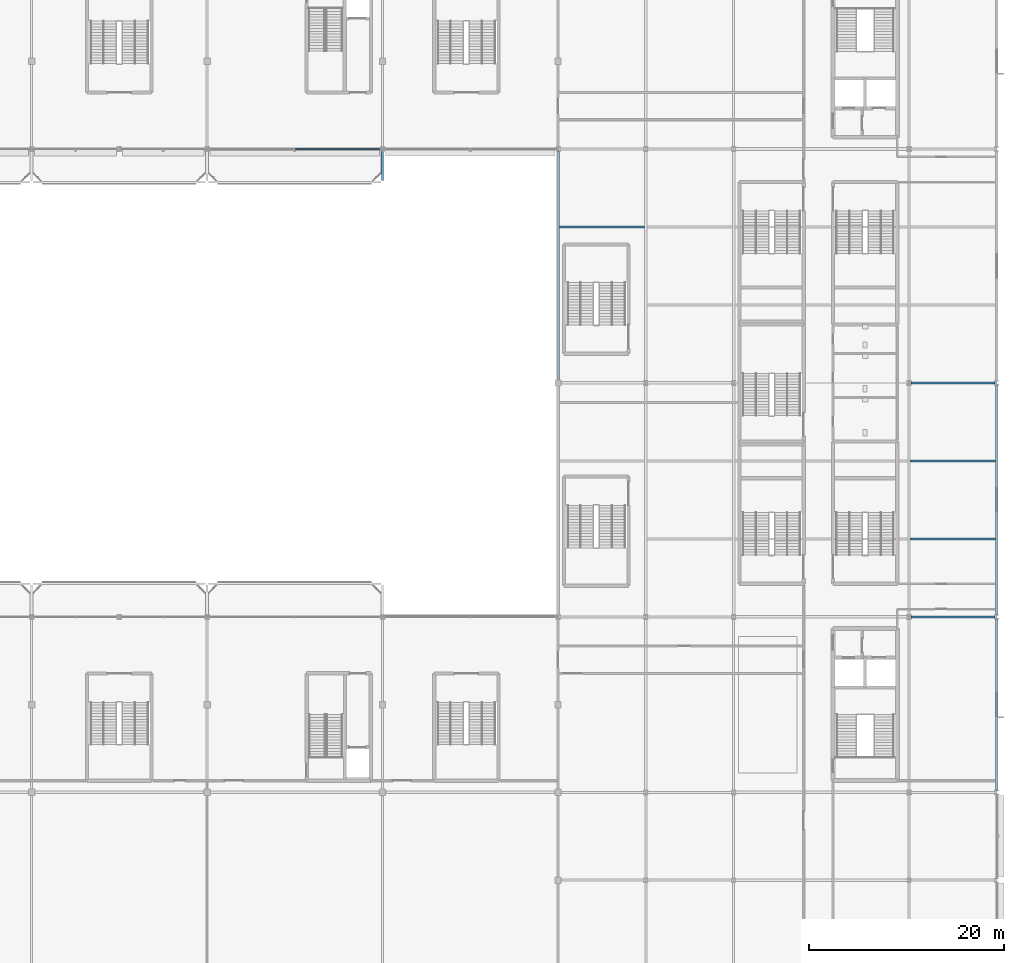
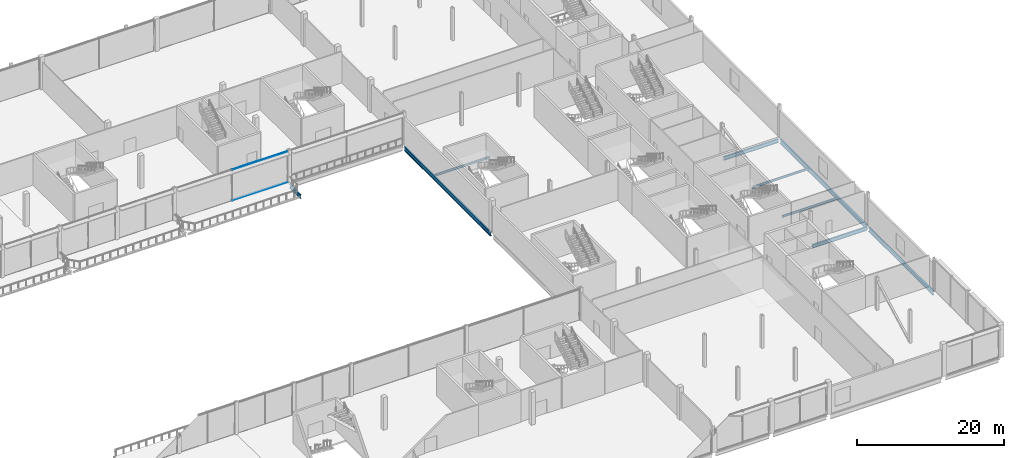
# One storey, part 53 of 113: 9 beams, 2 members, 1 element without a shape of its own.
"""IFC4 building model written with IfcOpenShell, lengths in metres."""

from ifc_helpers import new_model, si_unit, direction, frame, origin, origin_2d, place, context, subcontext, project, spatial, rectangle, i_section, extrude, material, layer, layer_set, material_profile, profile_set, type_object, element, aggregate, save


model = new_model("IFC4")

# Units and contexts
model_context = context("Model", 3, precision=1e-05, world=origin(), true_north=direction((0.0, 1.0)))
body_context = subcontext(model_context, "Body", "Model", "MODEL_VIEW")
ifc_project = project(units=[si_unit("LENGTHUNIT", "METRE"), si_unit("AREAUNIT", "SQUARE_METRE"), si_unit("VOLUMEUNIT", "CUBIC_METRE"), si_unit("PLANEANGLEUNIT", "RADIAN"), si_unit("MASSUNIT", "GRAM", prefix="KILO")], contexts=[model_context])

# Site, building, storey
site_placement = place(None, origin())
site = spatial("IfcSite", under=ifc_project, at=site_placement, CompositionType="ELEMENT")
building_placement = place(site_placement, origin())
building = spatial("IfcBuilding", under=site, at=building_placement, Name="Kisiwana Market Hall", CompositionType="ELEMENT")
storey_placement = place(building_placement, frame((0.0, 0.0, 6.0)))
storey = spatial("IfcBuildingStorey", under=building, at=storey_placement, Name="L01", CompositionType="ELEMENT", Elevation=6.0)

# Beams
ifc_material_1 = material(Name="Steel S355", Category="steel")
ifc_material_profile_1 = material_profile(ifc_material_1, i_section(OverallWidth=0.2275390625, OverallDepth=0.6025390625, WebThickness=0.010498046875, FlangeThickness=0.014892578125, at=origin_2d()), Name="UB 610x229x101")
ifc_profile_set_1 = profile_set([ifc_material_profile_1], Name="Steel S355")
beam_type_1 = type_object("IfcBeamType", Name="BM-CANT-PROW", PredefinedType="BEAM", material=ifc_profile_set_1)
beam_1_placement = place(storey_placement, frame((135.0, 83.78662109375, -0.501220703125), z_axis=(0.0, -1.0, 0.0), x_axis=(1.0, 0.0, 0.0)))
element("IfcBeam", 1, at=beam_1_placement, inside=storey, type_object=beam_type_1, Name="Gallery prow girder B-0594", PredefinedType="BEAM", context=body_context, shape_type="SweptSolid", body=[
    extrude(i_section(OverallWidth=0.2275390625, OverallDepth=0.6025390625, WebThickness=0.010498046875, FlangeThickness=0.014892578125, at=origin_2d()), origin(), (0.0, 0.0, 1.0), 3.03662109375),
])
ifc_material_2 = material(Name="Steel S355", Category="steel")
ifc_material_profile_2 = material_profile(ifc_material_2, i_section(OverallWidth=0.22900390625, OverallDepth=0.6123046875, WebThickness=0.011962890625, FlangeThickness=0.01953125, at=origin_2d()), Name="UB 610x229x125")
ifc_profile_set_2 = profile_set([ifc_material_profile_2], Name="Steel S355")
beam_type_2 = type_object("IfcBeamType", Name="BM-GIRD-UB610H", PredefinedType="BEAM", material=ifc_profile_set_2)
for number, where, z_axis, x_axis, name in (
    (2, (189.201904296875, 36.0, -0.55615234375), (1.0, 0.0, 0.0), (0.0, 1.0, 0.0), "Floor beam B-0500"),
    (3, (189.201904296875, 60.0, -0.55615234375), (1.0, 0.0, 0.0), (0.0, 1.0, 0.0), "Primary girder B-0330"),
):
    element("IfcBeam", number, at=place(storey_placement, frame(where, z_axis=z_axis, x_axis=x_axis)), inside=storey, type_object=beam_type_2, Name=name, PredefinedType="BEAM", context=body_context, shape_type="SweptSolid", body=[
        extrude(i_section(OverallWidth=0.22900390625, OverallDepth=0.6123046875, WebThickness=0.011962890625, FlangeThickness=0.01953125, at=origin_2d()), origin(), (0.0, 0.0, 1.0), 8.59619140625),
    ])
ifc_material_3 = material(Name="Steel S355", Category="steel")
ifc_material_profile_3 = material_profile(ifc_material_3, i_section(OverallWidth=0.253662109375, OverallDepth=0.68359375, WebThickness=0.012451171875, FlangeThickness=0.01904296875, at=origin_2d()), Name="UB 686x254x140")
ifc_profile_set_3 = profile_set([ifc_material_profile_3], Name="Steel S355")
beam_type_3 = type_object("IfcBeamType", Name="BM-GIRD-UB686", PredefinedType="BEAM", material=ifc_profile_set_3)
beam_2_placement = place(storey_placement, frame((153.0, 60.345947265625, -0.591796875), z_axis=(0.0, 1.0, 0.0), x_axis=(-1.0, 0.0, 0.0)))
element("IfcBeam", 4, at=beam_2_placement, inside=storey, type_object=beam_type_3, Name="Floor beam B-0568", PredefinedType="BEAM", context=body_context, shape_type="SweptSolid", body=[
    extrude(i_section(OverallWidth=0.253662109375, OverallDepth=0.68359375, WebThickness=0.012451171875, FlangeThickness=0.01904296875, at=origin_2d()), origin(), (0.0, 0.0, 1.0), 23.440673828125),
])
beam_3_placement = place(storey_placement, frame((198.0, 18.21337890625, -0.591796875), z_axis=(0.0, 1.0, 0.0), x_axis=(-1.0, 0.0, 0.0)))
element("IfcBeam", 5, at=beam_3_placement, inside=storey, type_object=beam_type_3, Name="Floor beam B-0573", PredefinedType="BEAM", context=body_context, shape_type="SweptSolid", body=[
    extrude(i_section(OverallWidth=0.253662109375, OverallDepth=0.68359375, WebThickness=0.012451171875, FlangeThickness=0.01904296875, at=origin_2d()), origin(), (0.0, 0.0, 1.0), 17.5732421875),
])
beam_4_placement = place(storey_placement, frame((198.0, 36.21337890625, -0.591796875), z_axis=(0.0, 1.0, 0.0), x_axis=(-1.0, 0.0, 0.0)))
element("IfcBeam", 6, at=beam_4_placement, inside=storey, type_object=beam_type_3, Name="Floor beam B-0574", PredefinedType="BEAM", context=body_context, shape_type="SweptSolid", body=[
    extrude(i_section(OverallWidth=0.253662109375, OverallDepth=0.68359375, WebThickness=0.012451171875, FlangeThickness=0.01904296875, at=origin_2d()), origin(), (0.0, 0.0, 1.0), 23.5732421875),
])
ifc_material_4 = material(Name="Steel S355", Category="steel")
ifc_material_profile_4 = material_profile(ifc_material_4, i_section(OverallWidth=0.17138671875, OverallDepth=0.35498046875, WebThickness=0.00732421875, FlangeThickness=0.011474609375, at=origin_2d()), Name="UB 356x171x51")
ifc_profile_set_4 = profile_set([ifc_material_profile_4], Name="Steel S355")
beam_type_4 = type_object("IfcBeamType", Name="BM-JOIST-UB356", PredefinedType="JOIST", material=ifc_profile_set_4)
for number, where, z_axis, x_axis, name in (
    (7, (189.125732421875, 44.0, -0.427490234375), (1.0, 0.0, 0.0), (0.0, 1.0, 0.0), "Secondary floor joist B-0426"),
    (8, (189.125732421875, 52.0, -0.427490234375), (1.0, 0.0, 0.0), (0.0, 1.0, 0.0), "Secondary floor joist B-0434"),
    (9, (153.125732421875, 76.0, -0.427490234375), (1.0, 0.0, 0.0), (0.0, 1.0, 0.0), "Secondary floor joist B-0445"),
):
    element("IfcBeam", number, at=place(storey_placement, frame(where, z_axis=z_axis, x_axis=x_axis)), inside=storey, type_object=beam_type_4, Name=name, PredefinedType="JOIST", context=body_context, shape_type="SweptSolid", body=[
        extrude(i_section(OverallWidth=0.17138671875, OverallDepth=0.35498046875, WebThickness=0.00732421875, FlangeThickness=0.011474609375, at=origin_2d()), origin(), (0.0, 0.0, 1.0), 8.74853515625),
    ])

# Curtain wall, members
ifc_material_5 = material(Name="Double-glazed solar-control low-E IGU", Category="glass")
ifc_layer = layer(ifc_material_5, 0.159912109375)
ifc_layer_set = layer_set([ifc_layer], Name="CW-FC-S-7600")
curtain_wall_type = type_object("IfcCurtainWallType", Name="CW-FC-S-7600", PredefinedType="USERDEFINED", material=ifc_layer_set)
curtain_wall_placement = place(storey_placement, origin())
curtain_wall = element("IfcCurtainWall", 10, at=curtain_wall_placement, inside=storey, type_object=curtain_wall_type, Name="Unitised curtain wall CW-031 (L01)", ObjectType="UNITISED CURTAIN WALL", PredefinedType="USERDEFINED")
ifc_material_6 = material(Name="Aluminium alloy 6063-T6", Category="aluminium")
ifc_material_profile_5 = material_profile(ifc_material_6, rectangle(XDim=0.1201171875, YDim=0.06005859375, at=origin_2d()), Name="ALU TRANSOM 60x120")
ifc_profile_set_5 = profile_set([ifc_material_profile_5], Name="Aluminium alloy 6063-T6")
member_type = type_object("IfcMemberType", Name="CW-TRAN-60x120", PredefinedType="USERDEFINED", material=ifc_profile_set_5)
member_1_placement = place(storey_placement, frame((126.030029296875, 84.0, 0.030029296875), z_axis=(1.0, 0.0, 0.0), x_axis=(0.0, 1.0, 0.0)))
member_1 = element("IfcMember", 11, at=member_1_placement, type_object=member_type, Name="CW-031 transom 2.1", ObjectType="TRANSOM", PredefinedType="USERDEFINED", context=body_context, shape_type="SweptSolid", body=[
    extrude(rectangle(XDim=0.1201171875, YDim=0.06005859375, at=origin_2d()), origin(), (0.0, 0.0, 1.0), 8.703857421875),
])
member_2_placement = place(storey_placement, frame((126.030029296875, 84.0, 5.1201171875), z_axis=(1.0, 0.0, 0.0), x_axis=(0.0, 1.0, 0.0)))
member_2 = element("IfcMember", 12, at=member_2_placement, type_object=member_type, Name="CW-031 transom 2.2", ObjectType="TRANSOM", PredefinedType="USERDEFINED", context=body_context, shape_type="SweptSolid", body=[
    extrude(rectangle(XDim=0.1201171875, YDim=0.06005859375, at=origin_2d()), origin(), (0.0, 0.0, 1.0), 8.703857421875),
])
aggregate(curtain_wall, [member_1, member_2])

save(model, "model.ifc")
